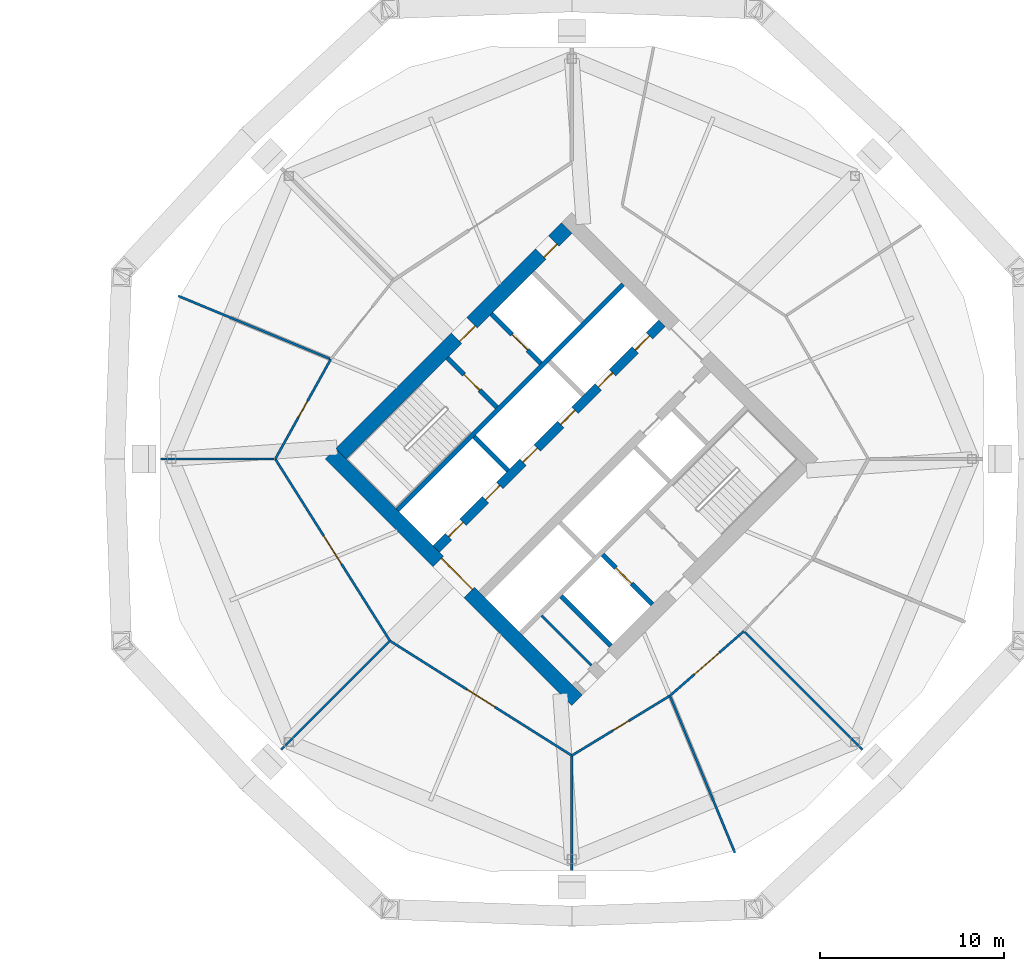
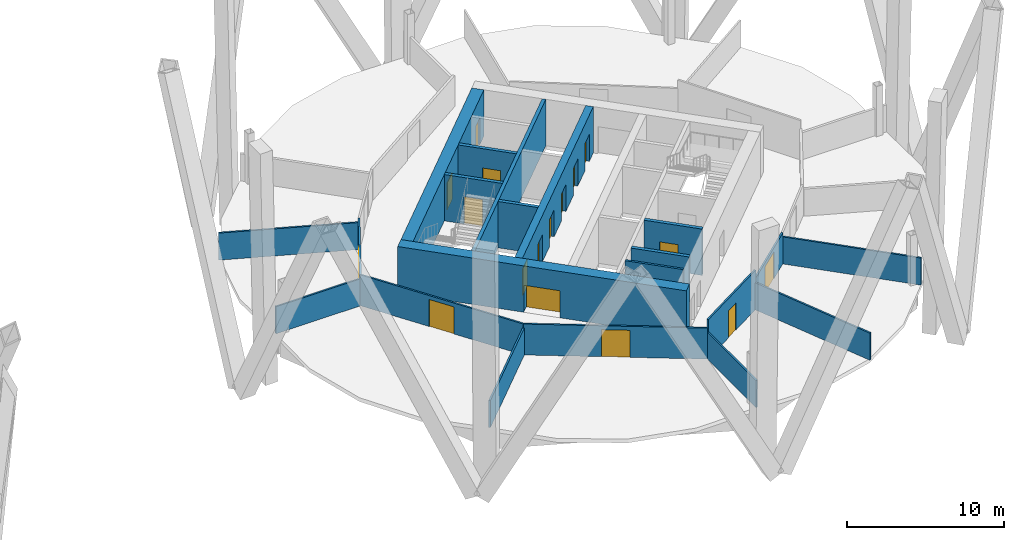
# One storey, part 6 of 10: 21 walls, 17 doors, 17 openings.
"""IFC4 building model written with IfcOpenShell, lengths in metres."""

from ifc_helpers import new_model, si_unit, direction, frame, frame_2d, origin, place, context, subcontext, project, spatial, rectangle, extrude, material, layer, layer_set, type_object, element, fill, save


model = new_model("IFC4")

# Units and contexts
model_context = context("Model", 3, precision=1e-05, world=origin(), true_north=direction((0.0, 1.0)))
body_context = subcontext(model_context, "Body", "Model", "MODEL_VIEW")
ifc_project = project(units=[si_unit("LENGTHUNIT", "METRE"), si_unit("AREAUNIT", "SQUARE_METRE"), si_unit("VOLUMEUNIT", "CUBIC_METRE"), si_unit("PLANEANGLEUNIT", "RADIAN"), si_unit("MASSUNIT", "GRAM", prefix="KILO")], contexts=[model_context])

# Site, building, storey
site_placement = place(None, origin())
site = spatial("IfcSite", under=ifc_project, at=site_placement, CompositionType="ELEMENT")
building_placement = place(site_placement, origin())
building = spatial("IfcBuilding", under=site, at=building_placement, Name="Ogive Gate Towers", CompositionType="ELEMENT")
storey_placement = place(building_placement, frame((0.0, 0.0, 36.300048828125)))
storey = spatial("IfcBuildingStorey", under=building, at=storey_placement, Name="L07", CompositionType="ELEMENT", Elevation=36.300048828125)

# Wall, openings, doors
ifc_material_1 = material(Name="Concrete C60/75", Category="concrete")
ifc_layer_1 = layer(ifc_material_1, 0.800048828125)
ifc_layer_set_1 = layer_set([ifc_layer_1], Name="Core wall 800 mm")
wall_type_1 = type_object("IfcWallType", Name="Core wall 800 mm", PredefinedType="SHEAR", material=ifc_layer_set_1)
wall_1_placement = place(storey_placement, frame((23.41357421875, 0.28271484375, 0.0), z_axis=(0.0, 0.0, 1.0), x_axis=(0.707106781187, 0.707106781187, 0.0)))
wall_1 = element("IfcWall", 1, at=wall_1_placement, inside=storey, type_object=wall_type_1, Name="T2 L07 Core wall 800 mm", PredefinedType="SHEAR", context=body_context, shape_type="SweptSolid", body=[
    extrude(rectangle(XDim=17.400146484375, YDim=0.800048828125, at=frame_2d((8.7001953125, 0.0))), origin(), (0.0, 0.0, 1.0), 3.599853515625),
])
opening_1_placement = place(wall_1_placement, frame((8.89990234375, 0.0, 0.0)))
opening_1 = element("IfcOpeningElement", 2, at=opening_1_placement, cuts=wall_1, Name="Opening KD-T2-L07-15", PredefinedType="OPENING", context=body_context, shape_type="SweptSolid", body=[
    extrude(rectangle(XDim=1.199951171875, YDim=2.10009765625, at=frame_2d((0.60009765625, 1.050048828125))), frame((0.0, 0.41015625, 0.0), z_axis=(0.0, -1.0, 0.0), x_axis=(1.0, 0.0, 0.0)), (0.0, 0.0, 1.0), 0.820068359375),
])
opening_2_placement = place(wall_1_placement, frame((15.39990234375, 0.0, 0.0)))
opening_2 = element("IfcOpeningElement", 3, at=opening_2_placement, cuts=wall_1, Name="Opening KD-T2-L07-17", PredefinedType="OPENING", context=body_context, shape_type="SweptSolid", body=[
    extrude(rectangle(XDim=1.0, YDim=2.10009765625, at=frame_2d((0.5, 1.050048828125))), frame((0.0, 0.41015625, 0.0), z_axis=(0.0, -1.0, 0.0), x_axis=(1.0, 0.0, 0.0)), (0.0, 0.0, 1.0), 0.820068359375),
])
ifc_material_2 = material(Name="Timber door", Category="wood")
door_type_1 = type_object("IfcDoorType", Name="Accessible WC door 1000 x 2100", OperationType="NOTDEFINED", PredefinedType="DOOR", material=ifc_material_2)
door_1_placement = place(opening_2_placement, origin())
door_1 = element("IfcDoor", 4, at=door_1_placement, inside=storey, type_object=door_type_1, Name="T2 L07 Core door", OperationType="SINGLE_SWING_RIGHT", OverallHeight=2.10009765625, OverallWidth=1.0, PredefinedType="DOOR", context=body_context, shape_type="SweptSolid", body=[
    extrude(rectangle(XDim=1.0, YDim=2.10009765625, at=frame_2d((0.5, 1.050048828125))), frame((0.0, -0.22509765625, 0.0), z_axis=(0.0, -1.0, 0.0), x_axis=(1.0, 0.0, 0.0)), (0.0, 0.0, 1.0), 0.050048828125),
])
fill(opening_2, door_1)
ifc_material_3 = material(Name="Steel fire door", Category="steel")
door_type_2 = type_object("IfcDoorType", Name="Core door FD60S 1200 x 2100", OperationType="NOTDEFINED", PredefinedType="DOOR", material=ifc_material_3)
door_2_placement = place(opening_1_placement, origin())
door_2 = element("IfcDoor", 5, at=door_2_placement, inside=storey, type_object=door_type_2, Name="T2 L07 Fire-fighting lobby door", OperationType="SINGLE_SWING_RIGHT", OverallHeight=2.10009765625, OverallWidth=1.199951171875, PredefinedType="DOOR", context=body_context, shape_type="SweptSolid", body=[
    extrude(rectangle(XDim=1.199951171875, YDim=2.10009765625, at=frame_2d((0.60009765625, 1.050048828125))), frame((0.0, -0.22509765625, 0.0), z_axis=(0.0, -1.0, 0.0), x_axis=(1.0, 0.0, 0.0)), (0.0, 0.0, 1.0), 0.050048828125),
])
fill(opening_1, door_2)

# Wall, opening, door
wall_2_placement = place(storey_placement, frame((36.28271484375, -13.152099609375, 0.0), z_axis=(0.0, 0.0, 1.0), x_axis=(-0.707106781187, 0.707106781187, 0.0)))
wall_2 = element("IfcWall", 6, at=wall_2_placement, inside=storey, type_object=wall_type_1, Name="T2 L07 Core wall 800 mm", PredefinedType="SHEAR", context=body_context, shape_type="SweptSolid", body=[
    extrude(rectangle(XDim=18.999755859375, YDim=0.800048828125, at=frame_2d((9.5, 0.0))), origin(), (0.0, 0.0, 1.0), 3.599853515625),
])
opening_3_placement = place(wall_2_placement, frame((8.300048828125, 0.0, 0.0)))
opening_3 = element("IfcOpeningElement", 7, at=opening_3_placement, cuts=wall_2, Name="Opening KD-T2-L07-01", PredefinedType="OPENING", context=body_context, shape_type="SweptSolid", body=[
    extrude(rectangle(XDim=2.39990234375, YDim=2.10009765625, at=frame_2d((1.199951171875, 1.050048828125))), frame((0.0, 0.41015625, 0.0), z_axis=(0.0, -1.0, 0.0), x_axis=(1.0, 0.0, 0.0)), (0.0, 0.0, 1.0), 0.820068359375),
])
door_type_3 = type_object("IfcDoorType", Name="Core double door FD60S 2400 x 2100", OperationType="DOUBLE_DOOR_SINGLE_SWING", PredefinedType="DOOR", material=ifc_material_3)
door_3_placement = place(opening_3_placement, origin())
door_3 = element("IfcDoor", 8, at=door_3_placement, inside=storey, type_object=door_type_3, Name="T2 L07 Core door double", OperationType="DOUBLE_DOOR_SINGLE_SWING", OverallHeight=2.10009765625, OverallWidth=2.39990234375, PredefinedType="DOOR", context=body_context, shape_type="SweptSolid", body=[
    extrude(rectangle(XDim=2.39990234375, YDim=2.10009765625, at=frame_2d((1.199951171875, 1.050048828125))), frame((0.0, -0.22509765625, 0.0), z_axis=(0.0, -1.0, 0.0), x_axis=(1.0, 0.0, 0.0)), (0.0, 0.0, 1.0), 0.050048828125),
])
fill(opening_3, door_3)

# Walls
ifc_material_4 = material(Name="Gypsum board partition")
ifc_layer_2 = layer(ifc_material_4, 0.125)
ifc_layer_set_2 = layer_set([ifc_layer_2], Name="Partition 125")
wall_type_2 = type_object("IfcWallType", Name="Partition 125", PredefinedType="PARTITIONING", material=ifc_layer_set_2)
wall_3_placement = place(storey_placement, frame((14.547119140625, 8.885986328125, 0.0), z_axis=(0.0, 0.0, 1.0), x_axis=(0.923883404606, -0.382674084169, 0.0)))
element("IfcWall", 9, at=wall_3_placement, inside=storey, type_object=wall_type_2, Name="Partition T2-L07-006", PredefinedType="PARTITIONING", context=body_context, shape_type="SweptSolid", body=[
    extrude(rectangle(XDim=8.942626953125, YDim=0.125, at=frame_2d((4.47119140625, 0.0))), origin(), (0.0, 0.0, 1.0), 2.099853515625),
])
wall_4_placement = place(storey_placement, frame((13.591064453125, 0.0, 0.0), z_axis=(0.0, 0.0, 1.0), x_axis=(1.0, 0.0, 0.0)))
element("IfcWall", 10, at=wall_4_placement, inside=storey, type_object=wall_type_2, Name="Partition T2-L07-007", PredefinedType="PARTITIONING", context=body_context, shape_type="SweptSolid", body=[
    extrude(rectangle(XDim=6.1865234375, YDim=0.125, at=frame_2d((3.09326171875, 0.0))), origin(), (0.0, 0.0, 1.0), 2.099853515625),
])
wall_5_placement = place(storey_placement, frame((20.154296875, -15.845703125, 0.0), z_axis=(0.0, 0.0, 1.0), x_axis=(0.707106781187, 0.707106781187, 0.0)))
element("IfcWall", 11, at=wall_5_placement, inside=storey, type_object=wall_type_2, Name="Partition T2-L07-008", PredefinedType="PARTITIONING", context=body_context, shape_type="SweptSolid", body=[
    extrude(rectangle(XDim=8.332763671875, YDim=0.125, at=frame_2d((4.16650390625, 0.0))), origin(), (0.0, 0.0, 1.0), 2.099853515625),
])
wall_6_placement = place(storey_placement, frame((36.0, -22.408935546875, 0.0), z_axis=(0.0, 0.0, 1.0), x_axis=(0.0, 1.0, 0.0)))
element("IfcWall", 12, at=wall_6_placement, inside=storey, type_object=wall_type_2, Name="Partition T2-L07-009", PredefinedType="PARTITIONING", context=body_context, shape_type="SweptSolid", body=[
    extrude(rectangle(XDim=6.1865234375, YDim=0.125, at=frame_2d((3.09326171875, 0.0))), origin(), (0.0, 0.0, 1.0), 2.099853515625),
])
wall_7_placement = place(storey_placement, frame((44.885986328125, -21.452880859375, 0.0), z_axis=(0.0, 0.0, 1.0), x_axis=(-0.382668439305, 0.923885742698, 0.0)))
element("IfcWall", 13, at=wall_7_placement, inside=storey, type_object=wall_type_2, Name="Partition T2-L07-010", PredefinedType="PARTITIONING", context=body_context, shape_type="SweptSolid", body=[
    extrude(rectangle(XDim=9.19287109375, YDim=0.125, at=frame_2d((4.596435546875, 0.0))), origin(), (0.0, 0.0, 1.0), 2.099853515625),
])
wall_8_placement = place(storey_placement, frame((51.845703125, -15.845703125, 0.0), z_axis=(0.0, 0.0, 1.0), x_axis=(-0.707106781187, 0.707106781187, 0.0)))
element("IfcWall", 14, at=wall_8_placement, inside=storey, type_object=wall_type_2, Name="Partition T2-L07-011", PredefinedType="PARTITIONING", context=body_context, shape_type="SweptSolid", body=[
    extrude(rectangle(XDim=9.08251953125, YDim=0.125, at=frame_2d((4.541259765625, 0.0))), origin(), (0.0, 0.0, 1.0), 2.099853515625),
])

# Wall, opening, door
wall_9_placement = place(storey_placement, frame((22.866943359375, 5.43994140625, 0.0), z_axis=(0.0, 0.0, 1.0), x_axis=(-0.486215546884, -0.873838910766, 0.0)))
wall_9 = element("IfcWall", 15, at=wall_9_placement, inside=storey, type_object=wall_type_2, Name="Partition T2-L07-015", PredefinedType="PARTITIONING", context=body_context, shape_type="SweptSolid", body=[
    extrude(rectangle(XDim=6.225341796875, YDim=0.125, at=frame_2d((3.11279296875, 0.0))), origin(), (0.0, 0.0, 1.0), 2.39990234375),
])
opening_4_placement = place(wall_9_placement, frame((2.613037109375, 0.0, 0.0)))
opening_4 = element("IfcOpeningElement", 16, at=opening_4_placement, cuts=wall_9, Name="Opening T2-L07-D03", PredefinedType="OPENING", context=body_context, shape_type="SweptSolid", body=[
    extrude(rectangle(XDim=1.0, YDim=2.10009765625, at=frame_2d((0.5, 1.050048828125))), frame((0.0, 0.072509765625, 0.0), z_axis=(0.0, -1.0, 0.0), x_axis=(1.0, 0.0, 0.0)), (0.0, 0.0, 1.0), 0.14501953125),
])
door_type_4 = type_object("IfcDoorType", Name="Door 1000", OperationType="NOTDEFINED", PredefinedType="DOOR", material=ifc_material_2)
door_4_placement = place(opening_4_placement, origin())
door_4 = element("IfcDoor", 17, at=door_4_placement, inside=storey, type_object=door_type_4, Name="Door T2-L07-D03", OperationType="SINGLE_SWING_RIGHT", OverallHeight=2.10009765625, OverallWidth=1.0, PredefinedType="DOOR", context=body_context, shape_type="SweptSolid", body=[
    extrude(rectangle(XDim=1.0, YDim=2.10009765625, at=frame_2d((0.5, 1.050048828125))), frame((0.0, 0.02490234375, 0.0), z_axis=(0.0, -1.0, 0.0), x_axis=(1.0, 0.0, 0.0)), (0.0, 0.0, 1.0), 0.050048828125),
])
fill(opening_4, door_4)

wall_10_placement = place(storey_placement, frame((19.840087890625, 0.0, 0.0), z_axis=(0.0, 0.0, 1.0), x_axis=(0.533498973609, -0.845800712437, 0.0)))
wall_10 = element("IfcWall", 18, at=wall_10_placement, inside=storey, type_object=wall_type_2, Name="Partition T2-L07-016", PredefinedType="PARTITIONING", context=body_context, shape_type="SweptSolid", body=[
    extrude(rectangle(XDim=11.716064453125, YDim=0.125, at=frame_2d((5.85791015625, 0.0))), origin(), (0.0, 0.0, 1.0), 2.39990234375),
])
opening_5_placement = place(wall_10_placement, frame((4.9580078125, 0.0, 0.0)))
opening_5 = element("IfcOpeningElement", 19, at=opening_5_placement, cuts=wall_10, Name="Opening T2-L07-D04", PredefinedType="OPENING", context=body_context, shape_type="SweptSolid", body=[
    extrude(rectangle(XDim=1.800048828125, YDim=2.10009765625, at=frame_2d((0.89990234375, 1.050048828125))), frame((0.0, 0.072509765625, 0.0), z_axis=(0.0, -1.0, 0.0), x_axis=(1.0, 0.0, 0.0)), (0.0, 0.0, 1.0), 0.14501953125),
])
door_type_5 = type_object("IfcDoorType", Name="Door pair 1800", OperationType="NOTDEFINED", PredefinedType="DOOR", material=ifc_material_2)
door_5_placement = place(opening_5_placement, origin())
door_5 = element("IfcDoor", 20, at=door_5_placement, inside=storey, type_object=door_type_5, Name="Door T2-L07-D04", OperationType="DOUBLE_DOOR_DOUBLE_SWING", OverallHeight=2.10009765625, OverallWidth=1.800048828125, PredefinedType="DOOR", context=body_context, shape_type="SweptSolid", body=[
    extrude(rectangle(XDim=1.800048828125, YDim=2.10009765625, at=frame_2d((0.89990234375, 1.050048828125))), frame((0.0, 0.02490234375, 0.0), z_axis=(0.0, -1.0, 0.0), x_axis=(1.0, 0.0, 0.0)), (0.0, 0.0, 1.0), 0.050048828125),
])
fill(opening_5, door_5)

wall_11_placement = place(storey_placement, frame((26.090576171875, -9.909423828125, 0.0), z_axis=(0.0, 0.0, 1.0), x_axis=(0.845800712437, -0.533498973609, 0.0)))
wall_11 = element("IfcWall", 21, at=wall_11_placement, inside=storey, type_object=wall_type_2, Name="Partition T2-L07-017", PredefinedType="PARTITIONING", context=body_context, shape_type="SweptSolid", body=[
    extrude(rectangle(XDim=11.716064453125, YDim=0.125, at=frame_2d((5.85791015625, 0.0))), origin(), (0.0, 0.0, 1.0), 2.39990234375),
])
opening_6_placement = place(wall_11_placement, frame((4.9580078125, 0.0, 0.0)))
opening_6 = element("IfcOpeningElement", 22, at=opening_6_placement, cuts=wall_11, Name="Opening T2-L07-D05", PredefinedType="OPENING", context=body_context, shape_type="SweptSolid", body=[
    extrude(rectangle(XDim=1.800048828125, YDim=2.10009765625, at=frame_2d((0.89990234375, 1.050048828125))), frame((0.0, 0.072509765625, 0.0), z_axis=(0.0, -1.0, 0.0), x_axis=(1.0, 0.0, 0.0)), (0.0, 0.0, 1.0), 0.14501953125),
])
door_6_placement = place(opening_6_placement, origin())
door_6 = element("IfcDoor", 23, at=door_6_placement, inside=storey, type_object=door_type_5, Name="Door T2-L07-D05", OperationType="DOUBLE_DOOR_DOUBLE_SWING", OverallHeight=2.10009765625, OverallWidth=1.800048828125, PredefinedType="DOOR", context=body_context, shape_type="SweptSolid", body=[
    extrude(rectangle(XDim=1.800048828125, YDim=2.10009765625, at=frame_2d((0.89990234375, 1.050048828125))), frame((0.0, 0.02490234375, 0.0), z_axis=(0.0, -1.0, 0.0), x_axis=(1.0, 0.0, 0.0)), (0.0, 0.0, 1.0), 0.050048828125),
])
fill(opening_6, door_6)

wall_12_placement = place(storey_placement, frame((36.0, -16.159912109375, 0.0), z_axis=(0.0, 0.0, 1.0), x_axis=(0.853857910754, 0.520506165423, 0.0)))
wall_12 = element("IfcWall", 24, at=wall_12_placement, inside=storey, type_object=wall_type_2, Name="Partition T2-L07-018", PredefinedType="PARTITIONING", context=body_context, shape_type="SweptSolid", body=[
    extrude(rectangle(XDim=6.259033203125, YDim=0.125, at=frame_2d((3.12939453125, 0.0))), origin(), (0.0, 0.0, 1.0), 3.050048828125),
])
opening_7_placement = place(wall_12_placement, frame((2.62890625, 0.0, 0.0)))
opening_7 = element("IfcOpeningElement", 25, at=opening_7_placement, cuts=wall_12, Name="Opening T2-L07-D06", PredefinedType="OPENING", context=body_context, shape_type="SweptSolid", body=[
    extrude(rectangle(XDim=1.0, YDim=2.10009765625, at=frame_2d((0.5, 1.050048828125))), frame((0.0, 0.072509765625, 0.0), z_axis=(0.0, -1.0, 0.0), x_axis=(1.0, 0.0, 0.0)), (0.0, 0.0, 1.0), 0.14501953125),
])
door_7_placement = place(opening_7_placement, origin())
door_7 = element("IfcDoor", 26, at=door_7_placement, inside=storey, type_object=door_type_4, Name="Door T2-L07-D06", OperationType="SINGLE_SWING_LEFT", OverallHeight=2.10009765625, OverallWidth=1.0, PredefinedType="DOOR", context=body_context, shape_type="SweptSolid", body=[
    extrude(rectangle(XDim=1.0, YDim=2.10009765625, at=frame_2d((0.5, 1.050048828125))), frame((0.0, 0.02490234375, 0.0), z_axis=(0.0, -1.0, 0.0), x_axis=(1.0, 0.0, 0.0)), (0.0, 0.0, 1.0), 0.050048828125),
])
fill(opening_7, door_7)

wall_13_placement = place(storey_placement, frame((41.34423828125, -12.902099609375, 0.0), z_axis=(0.0, 0.0, 1.0), x_axis=(0.753279307285, 0.657700756588, 0.0)))
wall_13 = element("IfcWall", 27, at=wall_13_placement, inside=storey, type_object=wall_type_2, Name="Partition T2-L07-019", PredefinedType="PARTITIONING", context=body_context, shape_type="SweptSolid", body=[
    extrude(rectangle(XDim=5.3564453125, YDim=0.125, at=frame_2d((2.67822265625, 0.0))), origin(), (0.0, 0.0, 1.0), 2.39990234375),
])
opening_8_placement = place(wall_13_placement, frame((1.778076171875, 0.0, 0.0)))
opening_8 = element("IfcOpeningElement", 28, at=opening_8_placement, cuts=wall_13, Name="Opening T2-L07-D07", PredefinedType="OPENING", context=body_context, shape_type="SweptSolid", body=[
    extrude(rectangle(XDim=1.800048828125, YDim=2.10009765625, at=frame_2d((0.89990234375, 1.050048828125))), frame((0.0, 0.072509765625, 0.0), z_axis=(0.0, -1.0, 0.0), x_axis=(1.0, 0.0, 0.0)), (0.0, 0.0, 1.0), 0.14501953125),
])
door_8_placement = place(opening_8_placement, origin())
door_8 = element("IfcDoor", 29, at=door_8_placement, inside=storey, type_object=door_type_5, Name="Door T2-L07-D07", OperationType="DOUBLE_DOOR_DOUBLE_SWING", OverallHeight=2.10009765625, OverallWidth=1.800048828125, PredefinedType="DOOR", context=body_context, shape_type="SweptSolid", body=[
    extrude(rectangle(XDim=1.800048828125, YDim=2.10009765625, at=frame_2d((0.89990234375, 1.050048828125))), frame((0.0, 0.02490234375, 0.0), z_axis=(0.0, -1.0, 0.0), x_axis=(1.0, 0.0, 0.0)), (0.0, 0.0, 1.0), 0.050048828125),
])
fill(opening_8, door_8)

# Walls
ifc_layer_3 = layer(ifc_material_4, 0.14990234375)
ifc_layer_set_3 = layer_set([ifc_layer_3], Name="Room partition 150 mm")
wall_type_3 = type_object("IfcWallType", Name="Room partition 150 mm", PredefinedType="PARTITIONING", material=ifc_layer_set_3)
wall_14_placement = place(storey_placement, frame((37.060791015625, -11.242919921875, 0.0), z_axis=(0.0, 0.0, 1.0), x_axis=(-0.707138693938, 0.707074866995, 0.0)))
element("IfcWall", 30, at=wall_14_placement, inside=storey, type_object=wall_type_3, Name="T2 L07 Room partition 150 mm", PredefinedType="PARTITIONING", context=body_context, shape_type="SweptSolid", body=[
    extrude(rectangle(XDim=3.824951171875, YDim=0.14990234375, at=frame_2d((1.91259765625, 0.0))), origin(), (0.0, 0.0, 1.0), 3.599853515625),
])
ifc_layer_4 = layer(ifc_material_1, 0.25)
ifc_layer_set_4 = layer_set([ifc_layer_4], Name="Shaft wall 250 mm")
wall_type_4 = type_object("IfcWallType", Name="Shaft wall 250 mm", PredefinedType="SHEAR", material=ifc_layer_set_4)
wall_15_placement = place(storey_placement, frame((26.489501953125, -2.793212890625, 0.0), z_axis=(0.0, 0.0, 1.0), x_axis=(0.707106781187, 0.707106781187, 0.0)))
element("IfcWall", 31, at=wall_15_placement, inside=storey, type_object=wall_type_4, Name="T2 L07 Shaft wall 250 mm", PredefinedType="SHEAR", context=body_context, shape_type="SweptSolid", body=[
    extrude(rectangle(XDim=17.400146484375, YDim=0.25, at=frame_2d((8.7001953125, 0.0))), origin(), (0.0, 0.0, 1.0), 3.599853515625),
])
wall_16_placement = place(storey_placement, frame((38.121337890625, -10.182373046875, 0.0), z_axis=(0.0, 0.0, 1.0), x_axis=(-0.707138693938, 0.707074866995, 0.0)))
element("IfcWall", 32, at=wall_16_placement, inside=storey, type_object=wall_type_4, Name="T2 L07 Shaft wall 250 mm", PredefinedType="SHEAR", context=body_context, shape_type="SweptSolid", body=[
    extrude(rectangle(XDim=3.824951171875, YDim=0.25, at=frame_2d((1.91259765625, 0.0))), origin(), (0.0, 0.0, 1.0), 3.599853515625),
])
wall_17_placement = place(storey_placement, frame((32.53515625, -0.636474609375, 0.0), z_axis=(0.0, 0.0, 1.0), x_axis=(-0.707106781187, 0.707106781187, 0.0)))
element("IfcWall", 33, at=wall_17_placement, inside=storey, type_object=wall_type_4, Name="T2 L07 Shaft wall 250 mm", PredefinedType="SHEAR", context=body_context, shape_type="SweptSolid", body=[
    extrude(rectangle(XDim=2.625, YDim=0.25, at=frame_2d((1.3125, 0.0))), origin(), (0.0, 0.0, 1.0), 3.599853515625),
])

# Wall, opening, door
wall_18_placement = place(storey_placement, frame((40.384033203125, -7.919677734375, 0.0), z_axis=(0.0, 0.0, 1.0), x_axis=(-0.707074866995, 0.707138693938, 0.0)))
wall_18 = element("IfcWall", 34, at=wall_18_placement, inside=storey, type_object=wall_type_4, Name="T2 L07 Shaft wall 250 mm", PredefinedType="SHEAR", context=body_context, shape_type="SweptSolid", body=[
    extrude(rectangle(XDim=3.824951171875, YDim=0.25, at=frame_2d((1.91259765625, 0.0))), origin(), (0.0, 0.0, 1.0), 3.599853515625),
])
opening_9_placement = place(wall_18_placement, frame((1.60009765625, 0.0, 0.0)))
opening_9 = element("IfcOpeningElement", 35, at=opening_9_placement, cuts=wall_18, Name="Opening LD-T2-L07-11", PredefinedType="OPENING", context=body_context, shape_type="SweptSolid", body=[
    extrude(rectangle(XDim=1.199951171875, YDim=2.10009765625, at=frame_2d((0.60009765625, 1.050048828125))), frame((0.0, 0.135009765625, 0.0), z_axis=(0.0, -1.0, 0.0), x_axis=(1.0, 0.0, 0.0)), (0.0, 0.0, 1.0), 0.27001953125),
])
ifc_material_5 = material(Name="Stainless steel landing door", Category="steel")
door_type_6 = type_object("IfcDoorType", Name="Landing door 1200 x 2100", OperationType="SLIDING_TO_LEFT", PredefinedType="DOOR", material=ifc_material_5)
door_9_placement = place(opening_9_placement, origin())
door_9 = element("IfcDoor", 36, at=door_9_placement, inside=storey, type_object=door_type_6, Name="T2 L07 Lift landing door FF2", OperationType="SLIDING_TO_LEFT", OverallHeight=2.10009765625, OverallWidth=1.199951171875, PredefinedType="DOOR", context=body_context, shape_type="SweptSolid", body=[
    extrude(rectangle(XDim=1.199951171875, YDim=2.10009765625, at=frame_2d((0.60009765625, 1.050048828125))), frame((0.0, 0.02490234375, 0.0), z_axis=(0.0, -1.0, 0.0), x_axis=(1.0, 0.0, 0.0)), (0.0, 0.0, 1.0), 0.050048828125),
])
fill(opening_9, door_9)

wall_19_placement = place(storey_placement, frame((31.91650390625, 2.810791015625, 0.0), z_axis=(0.0, 0.0, 1.0), x_axis=(-0.707106781187, 0.707106781187, 0.0)))
wall_19 = element("IfcWall", 37, at=wall_19_placement, inside=storey, type_object=wall_type_4, Name="T2 L07 Shaft wall 250 mm", PredefinedType="SHEAR", context=body_context, shape_type="SweptSolid", body=[
    extrude(rectangle(XDim=3.824951171875, YDim=0.25, at=frame_2d((1.91259765625, 0.0))), origin(), (0.0, 0.0, 1.0), 3.599853515625),
])
opening_10_placement = place(wall_19_placement, frame((1.324951171875, 0.0, 0.0)))
opening_10 = element("IfcOpeningElement", 38, at=opening_10_placement, cuts=wall_19, Name="Opening KD-T2-L07-13", PredefinedType="OPENING", context=body_context, shape_type="SweptSolid", body=[
    extrude(rectangle(XDim=1.199951171875, YDim=2.10009765625, at=frame_2d((0.60009765625, 1.050048828125))), frame((0.0, 0.135009765625, 0.0), z_axis=(0.0, -1.0, 0.0), x_axis=(1.0, 0.0, 0.0)), (0.0, 0.0, 1.0), 0.27001953125),
])
door_10_placement = place(opening_10_placement, origin())
door_10 = element("IfcDoor", 39, at=door_10_placement, inside=storey, type_object=door_type_2, Name="T2 L07 Stair door", OperationType="SINGLE_SWING_RIGHT", OverallHeight=2.10009765625, OverallWidth=1.199951171875, PredefinedType="DOOR", context=body_context, shape_type="SweptSolid", body=[
    extrude(rectangle(XDim=1.199951171875, YDim=2.10009765625, at=frame_2d((0.60009765625, 1.050048828125))), frame((0.0, 0.02490234375, 0.0), z_axis=(0.0, -1.0, 0.0), x_axis=(1.0, 0.0, 0.0)), (0.0, 0.0, 1.0), 0.050048828125),
])
fill(opening_10, door_10)

wall_20_placement = place(storey_placement, frame((34.320556640625, 5.21484375, 0.0), z_axis=(0.0, 0.0, 1.0), x_axis=(-0.707074866995, 0.707138693938, 0.0)))
wall_20 = element("IfcWall", 40, at=wall_20_placement, inside=storey, type_object=wall_type_4, Name="T2 L07 Shaft wall 250 mm", PredefinedType="SHEAR", context=body_context, shape_type="SweptSolid", body=[
    extrude(rectangle(XDim=3.824951171875, YDim=0.25, at=frame_2d((1.91259765625, 0.0))), origin(), (0.0, 0.0, 1.0), 3.599853515625),
])
opening_11_placement = place(wall_20_placement, frame((1.02490234375, 0.0, 0.0)))
opening_11 = element("IfcOpeningElement", 41, at=opening_11_placement, cuts=wall_20, Name="Opening LD-T2-L07-10", PredefinedType="OPENING", context=body_context, shape_type="SweptSolid", body=[
    extrude(rectangle(XDim=1.199951171875, YDim=2.10009765625, at=frame_2d((0.60009765625, 1.050048828125))), frame((0.0, 0.135009765625, 0.0), z_axis=(0.0, -1.0, 0.0), x_axis=(1.0, 0.0, 0.0)), (0.0, 0.0, 1.0), 0.27001953125),
])
door_11_placement = place(opening_11_placement, origin())
door_11 = element("IfcDoor", 42, at=door_11_placement, inside=storey, type_object=door_type_6, Name="T2 L07 Lift landing door FF1", OperationType="SLIDING_TO_LEFT", OverallHeight=2.10009765625, OverallWidth=1.199951171875, PredefinedType="DOOR", context=body_context, shape_type="SweptSolid", body=[
    extrude(rectangle(XDim=1.199951171875, YDim=2.10009765625, at=frame_2d((0.60009765625, 1.050048828125))), frame((0.0, 0.02490234375, 0.0), z_axis=(0.0, -1.0, 0.0), x_axis=(1.0, 0.0, 0.0)), (0.0, 0.0, 1.0), 0.050048828125),
])
fill(opening_11, door_11)

# Wall, openings, doors
ifc_layer_5 = layer(ifc_material_1, 0.5)
ifc_layer_set_5 = layer_set([ifc_layer_5], Name="Spine wall 500 mm")
wall_type_5 = type_object("IfcWallType", Name="Spine wall 500 mm", PredefinedType="SHEAR", material=ifc_layer_set_5)
wall_21_placement = place(storey_placement, frame((28.610595703125, -4.914306640625, 0.0), z_axis=(0.0, 0.0, 1.0), x_axis=(0.707106781187, 0.707106781187, 0.0)))
wall_21 = element("IfcWall", 43, at=wall_21_placement, inside=storey, type_object=wall_type_5, Name="T2 L07 Spine wall 500 mm", PredefinedType="SHEAR", context=body_context, shape_type="SweptSolid", body=[
    extrude(rectangle(XDim=17.400146484375, YDim=0.5, at=frame_2d((8.7001953125, 0.0))), origin(), (0.0, 0.0, 1.0), 3.599853515625),
])
opening_12_placement = place(wall_21_placement, frame((0.96240234375, 0.0, 0.0)))
opening_12 = element("IfcOpeningElement", 44, at=opening_12_placement, cuts=wall_21, Name="Opening LD-T2-L07-03", PredefinedType="OPENING", context=body_context, shape_type="SweptSolid", body=[
    extrude(rectangle(XDim=1.10009765625, YDim=2.10009765625, at=frame_2d((0.550048828125, 1.050048828125))), frame((0.0, 0.260009765625, 0.0), z_axis=(0.0, -1.0, 0.0), x_axis=(1.0, 0.0, 0.0)), (0.0, 0.0, 1.0), 0.52001953125),
])
opening_13_placement = place(wall_21_placement, frame((3.800048828125, 0.0, 0.0)))
opening_13 = element("IfcOpeningElement", 45, at=opening_13_placement, cuts=wall_21, Name="Opening LD-T2-L07-04", PredefinedType="OPENING", context=body_context, shape_type="SweptSolid", body=[
    extrude(rectangle(XDim=1.10009765625, YDim=2.10009765625, at=frame_2d((0.550048828125, 1.050048828125))), frame((0.0, 0.260009765625, 0.0), z_axis=(0.0, -1.0, 0.0), x_axis=(1.0, 0.0, 0.0)), (0.0, 0.0, 1.0), 0.52001953125),
])
opening_14_placement = place(wall_21_placement, frame((6.699951171875, 0.0, 0.0)))
opening_14 = element("IfcOpeningElement", 46, at=opening_14_placement, cuts=wall_21, Name="Opening LD-T2-L07-05", PredefinedType="OPENING", context=body_context, shape_type="SweptSolid", body=[
    extrude(rectangle(XDim=1.10009765625, YDim=2.10009765625, at=frame_2d((0.550048828125, 1.050048828125))), frame((0.0, 0.260009765625, 0.0), z_axis=(0.0, -1.0, 0.0), x_axis=(1.0, 0.0, 0.0)), (0.0, 0.0, 1.0), 0.52001953125),
])
opening_15_placement = place(wall_21_placement, frame((9.60009765625, 0.0, 0.0)))
opening_15 = element("IfcOpeningElement", 47, at=opening_15_placement, cuts=wall_21, Name="Opening LD-T2-L07-06", PredefinedType="OPENING", context=body_context, shape_type="SweptSolid", body=[
    extrude(rectangle(XDim=1.10009765625, YDim=2.10009765625, at=frame_2d((0.550048828125, 1.050048828125))), frame((0.0, 0.260009765625, 0.0), z_axis=(0.0, -1.0, 0.0), x_axis=(1.0, 0.0, 0.0)), (0.0, 0.0, 1.0), 0.52001953125),
])
opening_16_placement = place(wall_21_placement, frame((12.5, 0.0, 0.0)))
opening_16 = element("IfcOpeningElement", 48, at=opening_16_placement, cuts=wall_21, Name="Opening LD-T2-L07-07", PredefinedType="OPENING", context=body_context, shape_type="SweptSolid", body=[
    extrude(rectangle(XDim=1.10009765625, YDim=2.10009765625, at=frame_2d((0.550048828125, 1.050048828125))), frame((0.0, 0.260009765625, 0.0), z_axis=(0.0, -1.0, 0.0), x_axis=(1.0, 0.0, 0.0)), (0.0, 0.0, 1.0), 0.52001953125),
])
opening_17_placement = place(wall_21_placement, frame((15.33740234375, 0.0, 0.0)))
opening_17 = element("IfcOpeningElement", 49, at=opening_17_placement, cuts=wall_21, Name="Opening LD-T2-L07-08", PredefinedType="OPENING", context=body_context, shape_type="SweptSolid", body=[
    extrude(rectangle(XDim=1.10009765625, YDim=2.10009765625, at=frame_2d((0.550048828125, 1.050048828125))), frame((0.0, 0.260009765625, 0.0), z_axis=(0.0, -1.0, 0.0), x_axis=(1.0, 0.0, 0.0)), (0.0, 0.0, 1.0), 0.52001953125),
])
door_type_7 = type_object("IfcDoorType", Name="Landing door 1100 x 2100", OperationType="SLIDING_TO_LEFT", PredefinedType="DOOR", material=ifc_material_5)
door_12_placement = place(opening_12_placement, origin())
door_12 = element("IfcDoor", 50, at=door_12_placement, inside=storey, type_object=door_type_7, Name="T2 L07 Lift landing door A1", OperationType="SLIDING_TO_LEFT", OverallHeight=2.10009765625, OverallWidth=1.10009765625, PredefinedType="DOOR", context=body_context, shape_type="SweptSolid", body=[
    extrude(rectangle(XDim=1.10009765625, YDim=2.10009765625, at=frame_2d((0.550048828125, 1.050048828125))), frame((0.0, 0.02490234375, 0.0), z_axis=(0.0, -1.0, 0.0), x_axis=(1.0, 0.0, 0.0)), (0.0, 0.0, 1.0), 0.050048828125),
])
fill(opening_12, door_12)
door_13_placement = place(opening_13_placement, origin())
door_13 = element("IfcDoor", 51, at=door_13_placement, inside=storey, type_object=door_type_7, Name="T2 L07 Lift landing door A2", OperationType="SLIDING_TO_LEFT", OverallHeight=2.10009765625, OverallWidth=1.10009765625, PredefinedType="DOOR", context=body_context, shape_type="SweptSolid", body=[
    extrude(rectangle(XDim=1.10009765625, YDim=2.10009765625, at=frame_2d((0.550048828125, 1.050048828125))), frame((0.0, 0.02490234375, 0.0), z_axis=(0.0, -1.0, 0.0), x_axis=(1.0, 0.0, 0.0)), (0.0, 0.0, 1.0), 0.050048828125),
])
fill(opening_13, door_13)
door_14_placement = place(opening_14_placement, origin())
door_14 = element("IfcDoor", 52, at=door_14_placement, inside=storey, type_object=door_type_7, Name="T2 L07 Lift landing door A3", OperationType="SLIDING_TO_LEFT", OverallHeight=2.10009765625, OverallWidth=1.10009765625, PredefinedType="DOOR", context=body_context, shape_type="SweptSolid", body=[
    extrude(rectangle(XDim=1.10009765625, YDim=2.10009765625, at=frame_2d((0.550048828125, 1.050048828125))), frame((0.0, 0.02490234375, 0.0), z_axis=(0.0, -1.0, 0.0), x_axis=(1.0, 0.0, 0.0)), (0.0, 0.0, 1.0), 0.050048828125),
])
fill(opening_14, door_14)
door_15_placement = place(opening_15_placement, origin())
door_15 = element("IfcDoor", 53, at=door_15_placement, inside=storey, type_object=door_type_7, Name="T2 L07 Lift landing door A4", OperationType="SLIDING_TO_LEFT", OverallHeight=2.10009765625, OverallWidth=1.10009765625, PredefinedType="DOOR", context=body_context, shape_type="SweptSolid", body=[
    extrude(rectangle(XDim=1.10009765625, YDim=2.10009765625, at=frame_2d((0.550048828125, 1.050048828125))), frame((0.0, 0.02490234375, 0.0), z_axis=(0.0, -1.0, 0.0), x_axis=(1.0, 0.0, 0.0)), (0.0, 0.0, 1.0), 0.050048828125),
])
fill(opening_15, door_15)
door_16_placement = place(opening_16_placement, origin())
door_16 = element("IfcDoor", 54, at=door_16_placement, inside=storey, type_object=door_type_7, Name="T2 L07 Lift landing door A5", OperationType="SLIDING_TO_LEFT", OverallHeight=2.10009765625, OverallWidth=1.10009765625, PredefinedType="DOOR", context=body_context, shape_type="SweptSolid", body=[
    extrude(rectangle(XDim=1.10009765625, YDim=2.10009765625, at=frame_2d((0.550048828125, 1.050048828125))), frame((0.0, 0.02490234375, 0.0), z_axis=(0.0, -1.0, 0.0), x_axis=(1.0, 0.0, 0.0)), (0.0, 0.0, 1.0), 0.050048828125),
])
fill(opening_16, door_16)
door_17_placement = place(opening_17_placement, origin())
door_17 = element("IfcDoor", 55, at=door_17_placement, inside=storey, type_object=door_type_7, Name="T2 L07 Lift landing door A6", OperationType="SLIDING_TO_LEFT", OverallHeight=2.10009765625, OverallWidth=1.10009765625, PredefinedType="DOOR", context=body_context, shape_type="SweptSolid", body=[
    extrude(rectangle(XDim=1.10009765625, YDim=2.10009765625, at=frame_2d((0.550048828125, 1.050048828125))), frame((0.0, 0.02490234375, 0.0), z_axis=(0.0, -1.0, 0.0), x_axis=(1.0, 0.0, 0.0)), (0.0, 0.0, 1.0), 0.050048828125),
])
fill(opening_17, door_17)

save(model, "model.ifc")
